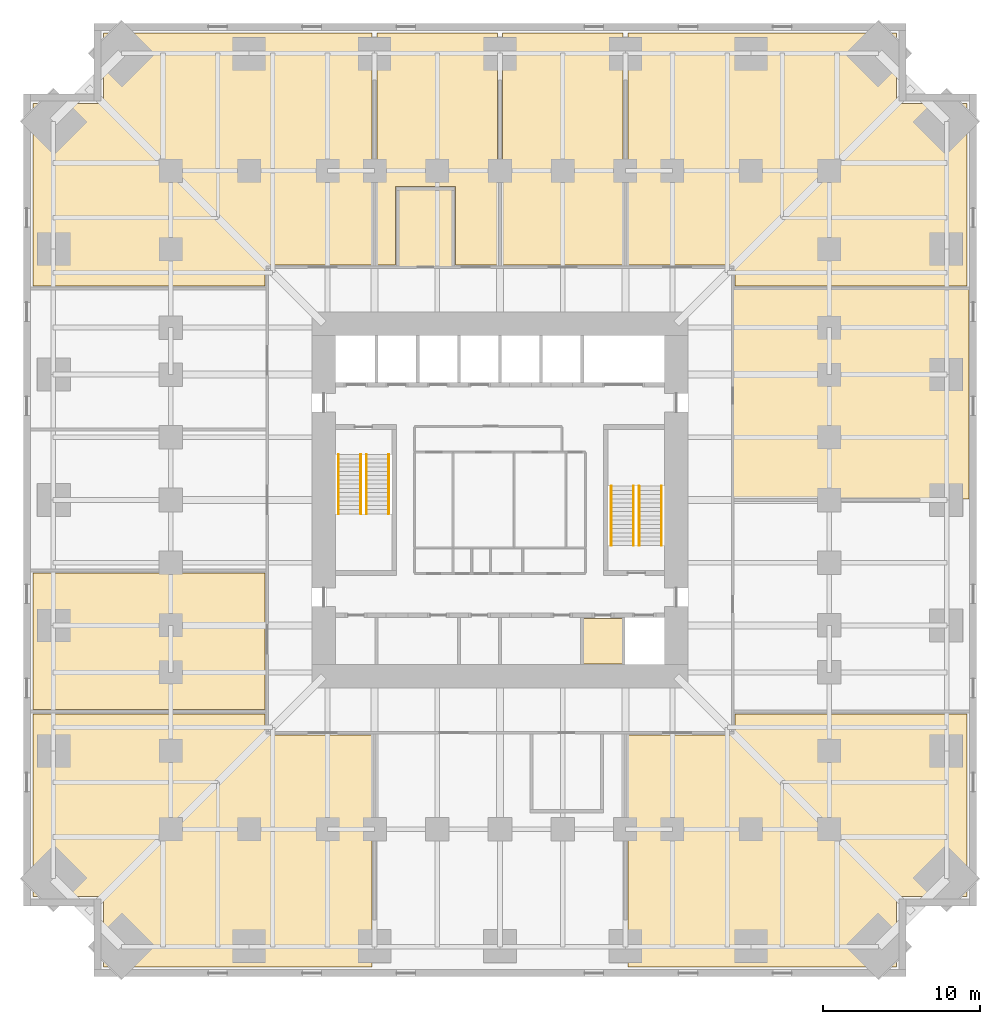
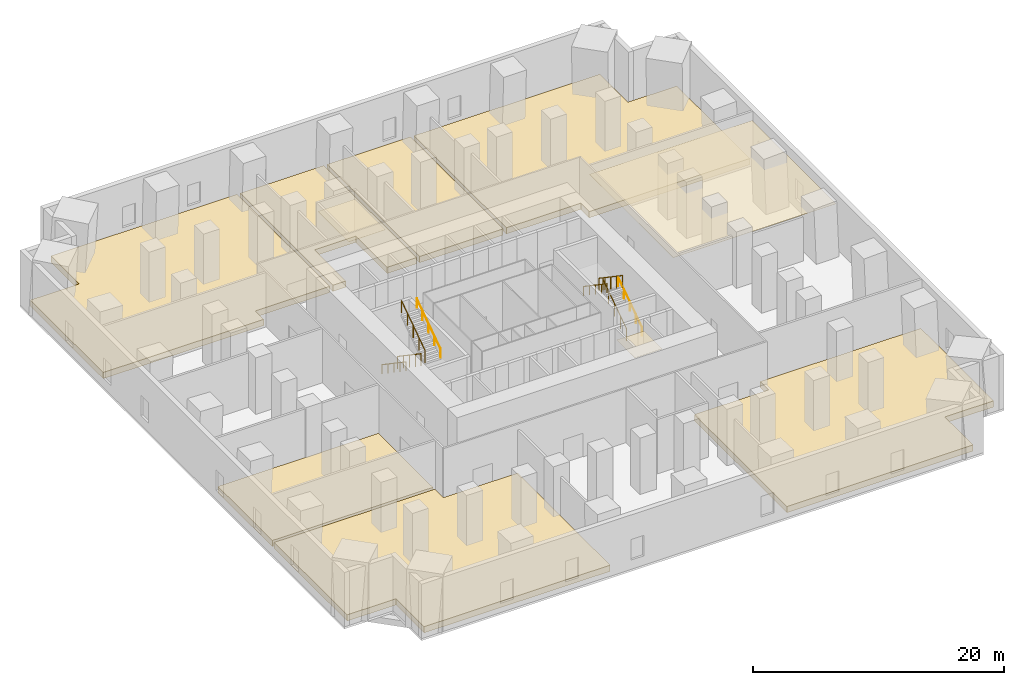
# One storey, part 8 of 8: 10 coverings, 8 railings.
"""IFC4 building model written with IfcOpenShell, lengths in metres."""

import ifcopenshell
import ifcopenshell.guid

model = None  # the IFC model being written
_history = None  # IfcOwnerHistory: only IFC2X3 demands one
_inside = {}  # id of a spatial element -> (the spatial element, [elements in it])
_under = {}  # id of a project, library or spatial element -> (it, [spatial elements below it])
_declared = {}  # id of a project -> (the project, [libraries it declares])
_typed = {}  # id of a type object -> (the type object, [elements of that type])
_made_of = {}  # id of a material, layer set ... -> (it, [elements and type objects made of it])


def new_model(schema):
    """Start an empty IFC model of exactly this schema.

    Asked for "IFC4X3", IfcOpenShell would pick the latest addendum, in which some entities
    have other attributes; the version numbers below select the first issue.
    IFC2X3 requires an IfcOwnerHistory on every rooted entity: one is made here for all.
    """
    global model, _history
    if schema == "IFC4X3":
        model = ifcopenshell.file(schema_version=(4, 3, 0, 0))
    else:
        model = ifcopenshell.file(schema=schema)
    _inside.clear()
    _under.clear()
    _declared.clear()
    _typed.clear()
    _made_of.clear()
    _history = None
    if model.schema == "IFC2X3":
        org = make("IfcOrganization", Name="unknown")
        user = make(
            "IfcPersonAndOrganization",
            ThePerson=make("IfcPerson", FamilyName="unknown"),
            TheOrganization=org,
        )
        app = make(
            "IfcApplication",
            ApplicationDeveloper=org,
            Version="unknown",
            ApplicationFullName="unknown",
            ApplicationIdentifier="unknown",
        )
        _history = make(
            "IfcOwnerHistory",
            OwningUser=user,
            OwningApplication=app,
            ChangeAction="ADDED",
            CreationDate=0,
        )
    return model


def make(cls, **values):
    """One entity of the class cls with the attributes given. An attribute that is None is left unset."""
    return model.create_entity(
        cls, **{name: value for name, value in values.items() if value is not None}
    )


def rooted(cls, **values):
    """An entity with a GlobalId (a new one), such as an element, a storey or a relation."""
    return make(cls, GlobalId=ifcopenshell.guid.new(), OwnerHistory=_history, **values)


def si_unit(unit_type, name, prefix=None):
    """IfcSIUnit, for example si_unit("LENGTHUNIT", "METRE", prefix="MILLI")."""
    return make("IfcSIUnit", UnitType=unit_type, Prefix=prefix, Name=name)


def assignment(units):
    """IfcUnitAssignment: the units of a project."""
    return None if units is None else make("IfcUnitAssignment", Units=units)


def point(xyz):
    """IfcCartesianPoint."""
    return None if xyz is None else make("IfcCartesianPoint", Coordinates=xyz)


def direction(xyz):
    """IfcDirection."""
    return None if xyz is None else make("IfcDirection", DirectionRatios=xyz)


def frame(location, z_axis=None, x_axis=None):
    """IfcAxis2Placement3D, a coordinate frame: its origin and axes. An axis left out is left unset."""
    return make(
        "IfcAxis2Placement3D",
        Location=point(location),
        Axis=direction(z_axis),
        RefDirection=direction(x_axis),
    )


def frame_2d(location, x_axis=None):
    """IfcAxis2Placement2D, a coordinate frame in the plane: its origin and x axis."""
    return make(
        "IfcAxis2Placement2D", Location=point(location), RefDirection=direction(x_axis)
    )


def origin():
    """The frame at (0, 0, 0) with its axes left unset."""
    return frame((0.0, 0.0, 0.0))


def origin_2d():
    """The frame at (0, 0) in the plane with its x axis left unset."""
    return frame_2d((0.0, 0.0))


def place(relative_to, where):
    """IfcLocalPlacement: puts the frame where relative to a parent placement (None: the world)."""
    return make(
        "IfcLocalPlacement", PlacementRelTo=relative_to, RelativePlacement=where
    )


def context(
    kind, dimensions, precision=None, world=None, true_north=None, identifier=None
):
    """IfcGeometricRepresentationContext, for example the 3D "Model" context."""
    return make(
        "IfcGeometricRepresentationContext",
        ContextIdentifier=identifier,
        ContextType=kind,
        CoordinateSpaceDimension=dimensions,
        Precision=precision,
        WorldCoordinateSystem=world,
        TrueNorth=true_north,
    )


def subcontext(parent, identifier, kind, view, scale=None):
    """IfcGeometricRepresentationSubContext, for example "Body" below "Model"."""
    return make(
        "IfcGeometricRepresentationSubContext",
        ContextIdentifier=identifier,
        ContextType=kind,
        ParentContext=parent,
        TargetScale=scale,
        TargetView=view,
    )


def project(units=None, contexts=None):
    """IfcProject with its units and contexts."""
    return rooted(
        "IfcProject",
        Name="project",
        RepresentationContexts=contexts,
        UnitsInContext=assignment(units),
    )


def spatial(cls, under=None, at=None, **own):
    """A site, building, storey or space (cls), placed at a placement, below another one or the project."""
    s = rooted(cls, ObjectPlacement=at, **own)
    if under is not None:
        _under.setdefault(under.id(), (under, []))[1].append(s)
    return s


def polyline(points):
    """IfcPolyline through the points."""
    return make("IfcPolyline", Points=[point(p) for p in points])


def profile(cls, at=None, kind="AREA", **sizes):
    """A parametric profile (cls). Its sizes go by their IFC names, for example OverallWidth=200.0."""
    return make(cls, ProfileType=kind, Position=at, **sizes)


def circle(**sizes):
    """IfcCircleProfileDef."""
    return profile("IfcCircleProfileDef", **sizes)


def outline(outer, holes=None, kind="AREA"):
    """IfcArbitraryClosedProfileDef: a profile drawn as a closed curve; with holes, ...WithVoids."""
    if holes is None:
        return make("IfcArbitraryClosedProfileDef", ProfileType=kind, OuterCurve=outer)
    return make(
        "IfcArbitraryProfileDefWithVoids",
        ProfileType=kind,
        OuterCurve=outer,
        InnerCurves=holes,
    )


def extrude(swept, where, along, depth):
    """IfcExtrudedAreaSolid: the profile swept, set in the frame where, extruded along a direction by depth."""
    return make(
        "IfcExtrudedAreaSolid",
        SweptArea=swept,
        Position=where,
        ExtrudedDirection=direction(along),
        Depth=depth,
    )


def shape(context_of_items, identifier, shape_type, items):
    """IfcShapeRepresentation: the items that make up one representation, for example the "Body"."""
    return make(
        "IfcShapeRepresentation",
        ContextOfItems=context_of_items,
        RepresentationIdentifier=identifier,
        RepresentationType=shape_type,
        Items=items,
    )


def material(Name=None, Category=None):
    """IfcMaterial."""
    return make("IfcMaterial", Name=Name, Category=Category)


def layer(
    of_material, thickness, ventilated=None, Name=None, Category=None, Priority=None
):
    """IfcMaterialLayer: one layer of a wall or slab, of a material (None: an air gap)."""
    return make(
        "IfcMaterialLayer",
        Material=of_material,
        LayerThickness=thickness,
        IsVentilated=ventilated,
        Name=Name,
        Category=Category,
        Priority=Priority,
    )


def layer_set(layers, Name=None):
    """IfcMaterialLayerSet."""
    return make("IfcMaterialLayerSet", MaterialLayers=layers, LayerSetName=Name)


def made_of(thing, what):
    """Note that an element or type object is made of a material, layer set ...; save() writes the relation."""
    if what is not None:
        _made_of.setdefault(what.id(), (what, []))[1].append(thing)
    return thing


def type_object(cls, material=None, **own):
    """A type object (cls), such as IfcWallType, which elements share."""
    return made_of(rooted(cls, **own), material)


def element(
    cls,
    number,
    at=None,
    inside=None,
    cuts=None,
    type_object=None,
    material=None,
    context=None,
    identifier="Body",
    shape_type=None,
    held_by="IfcProductDefinitionShape",
    body=None,
    shapes=None,
    **own,
):
    """One element of the class cls, such as IfcWall. Its Tag is "e" and its number.

    at: its placement. inside: the storey or other place that contains it. cuts: it is an
    opening in that element (IfcRelVoidsElement). A single representation is given by context,
    identifier, shape_type and body (its items); several are given by shapes. held_by: the class
    of the entity that holds the representations. save() writes the other relations.
    """
    e = rooted(cls, Tag="e%d" % number, ObjectPlacement=at, **own)
    if body is not None:
        shapes = [shape(context, identifier, shape_type, body)]
    if shapes is not None:
        e.Representation = make(held_by, Representations=shapes)
    if inside is not None:
        _inside.setdefault(inside.id(), (inside, []))[1].append(e)
    if cuts is not None:
        rooted(
            "IfcRelVoidsElement", RelatingBuildingElement=cuts, RelatedOpeningElement=e
        )
    if type_object is not None:
        _typed.setdefault(type_object.id(), (type_object, []))[1].append(e)
    return made_of(e, material)


def aggregate(whole, parts):
    """IfcRelAggregates: a whole, such as a stair, and the parts it consists of."""
    return rooted("IfcRelAggregates", RelatingObject=whole, RelatedObjects=parts)


def save(model, path):
    """Write the relations noted so far, then the file.

    IfcRelAggregates (storeys below a building ...), IfcRelContainedInSpatialStructure (elements
    in a storey), IfcRelDefinesByType, IfcRelAssociatesMaterial and IfcRelDeclares: one each for
    every whole, place, type object, material and project.
    """
    for whole, parts in _under.values():
        aggregate(whole, parts)
    for where, things in _inside.values():
        rooted(
            "IfcRelContainedInSpatialStructure",
            RelatedElements=things,
            RelatingStructure=where,
        )
    for kind, things in _typed.values():
        rooted("IfcRelDefinesByType", RelatedObjects=things, RelatingType=kind)
    for what, things in _made_of.values():
        rooted("IfcRelAssociatesMaterial", RelatedObjects=things, RelatingMaterial=what)
    for by, libraries in _declared.values():
        rooted("IfcRelDeclares", RelatingContext=by, RelatedDefinitions=libraries)
    model.write(path)


model = new_model("IFC4")

# Units and contexts
model_context = context("Model", 3, precision=1e-05, world=origin(), true_north=direction((0.0, 1.0)))
body_context = subcontext(model_context, "Body", "Model", "MODEL_VIEW")
ifc_project = project(units=[si_unit("LENGTHUNIT", "METRE"), si_unit("AREAUNIT", "SQUARE_METRE"), si_unit("VOLUMEUNIT", "CUBIC_METRE"), si_unit("PLANEANGLEUNIT", "RADIAN"), si_unit("MASSUNIT", "GRAM", prefix="KILO")], contexts=[model_context])

# Site, building, storey
site_placement = place(None, origin())
site = spatial("IfcSite", under=ifc_project, at=site_placement, CompositionType="ELEMENT")
building_placement = place(site_placement, origin())
building = spatial("IfcBuilding", under=site, at=building_placement, Name="Peilmerk Tower", CompositionType="ELEMENT")
storey_placement = place(building_placement, frame((0.0, 0.0, 59.5)))
storey = spatial("IfcBuildingStorey", under=building, at=storey_placement, Name="L11", CompositionType="ELEMENT", Elevation=59.5)

# Coverings
ifc_material_1 = material(Name="Mineral fibre ceiling tiles", Category="mineral")
ifc_layer_1 = layer(ifc_material_1, 0.02490234375)
ifc_layer_set_1 = layer_set([ifc_layer_1], Name="Mineral fibre ceiling tiles")
covering_type_1 = type_object("IfcCoveringType", Name="CL1 25 suspended ceiling", PredefinedType="CEILING", material=ifc_layer_set_1)
covering_1_placement = place(storey_placement, frame((0.0, 0.0, 4.375)))
element("IfcCovering", 1, at=covering_1_placement, inside=storey, type_object=covering_type_1, Name="Suspended ceiling Customer meeting room", PredefinedType="CEILING", context=body_context, shape_type="SweptSolid", body=[
    extrude(outline(polyline([(-3.050048828125, 14.89990234375), (-3.050048828125, 19.800048828125), (-6.449951171875, 19.800048828125), (-6.449951171875, 14.89990234375), (-3.050048828125, 14.89990234375)])), origin(), (0.0, 0.0, 1.0), 0.02490234375),
])
covering_2_placement = place(storey_placement, frame((0.0, 0.0, 4.375)))
element("IfcCovering", 2, at=covering_2_placement, inside=storey, type_object=covering_type_1, Name="Suspended ceiling LV switchboard room", PredefinedType="CEILING", context=body_context, shape_type="SweptSolid", body=[
    extrude(outline(polyline([(29.89990234375, 0.050048828125), (29.89990234375, 13.449951171875), (14.89990234375, 13.449951171875), (14.89990234375, 0.050048828125), (29.89990234375, 0.050048828125)])), origin(), (0.0, 0.0, 1.0), 0.02490234375),
])
covering_3_placement = place(storey_placement, frame((0.0, 0.0, 4.324951171875)))
element("IfcCovering", 3, at=covering_3_placement, inside=storey, type_object=covering_type_1, Name="Suspended ceiling Pantry", PredefinedType="CEILING", context=body_context, shape_type="SweptSolid", body=[
    extrude(outline(polyline([(7.823974609375, -10.448974609375), (7.823974609375, -7.551025390625), (5.301025390625, -7.551025390625), (5.301025390625, -10.448974609375), (7.823974609375, -10.448974609375)])), origin(), (0.0, 0.0, 1.0), 0.025146484375),
])

# Railings
ifc_material_2 = material(Name="Steel flat bar balustrade", Category="steel")
railing_type_1 = type_object("IfcRailingType", Name="GR1 1200 stair guard", PredefinedType="GUARDRAIL", material=ifc_material_2)
railing_1_placement = place(storey_placement, frame((-8.8798828125, 2.89990234375, 0.183349609375)))
element("IfcRailing", 4, at=railing_1_placement, inside=storey, type_object=railing_type_1, Name="Guard stair 1 L11", PredefinedType="GUARDRAIL", context=body_context, shape_type="SweptSolid", body=[
    extrude(circle(Radius=0.02392578125, at=origin_2d()), frame((0.0, 0.0, 1.17578125), z_axis=(0.0, -0.827293068839, 0.56177057439), x_axis=(1.0, 0.0, 0.0)), (0.0, 0.0, 1.0), 4.56884765625),
    extrude(circle(Radius=0.02099609375, at=origin_2d()), origin(), (0.0, 0.0, 1.0), 1.15185546875),
    extrude(circle(Radius=0.02099609375, at=origin_2d()), frame((0.0, -0.94482421875, 0.6416015625)), (0.0, 0.0, 1.0), 1.15185546875),
    extrude(circle(Radius=0.02099609375, at=origin_2d()), frame((0.0, -1.889892578125, 1.283203125)), (0.0, 0.0, 1.0), 1.15185546875),
    extrude(circle(Radius=0.02099609375, at=origin_2d()), frame((0.0, -2.8349609375, 1.925048828125)), (0.0, 0.0, 1.0), 1.15185546875),
    extrude(circle(Radius=0.02099609375, at=origin_2d()), frame((0.0, -3.77978515625, 2.566650390625)), (0.0, 0.0, 1.0), 1.15185546875),
])
for number, where, name in (
    (5, (-8.52001953125, -0.8798828125, 2.933349609375), "Guard stair 1 L11"),
    (6, (8.8798828125, -2.89990234375, 0.183349609375), "Guard stair 2 L11"),
):
    element("IfcRailing", number, at=place(storey_placement, frame(where)), inside=storey, type_object=railing_type_1, Name=name, PredefinedType="GUARDRAIL", context=body_context, shape_type="SweptSolid", body=[
        extrude(circle(Radius=0.02392578125, at=origin_2d()), frame((0.0, 0.0, 1.17578125), z_axis=(0.0, 0.827293068839, 0.56177057439), x_axis=(-1.0, 0.0, 0.0)), (0.0, 0.0, 1.0), 4.56884765625),
        extrude(circle(Radius=0.02099609375, at=origin_2d()), origin(), (0.0, 0.0, 1.0), 1.15185546875),
        extrude(circle(Radius=0.02099609375, at=origin_2d()), frame((0.0, 0.94482421875, 0.6416015625)), (0.0, 0.0, 1.0), 1.15185546875),
        extrude(circle(Radius=0.02099609375, at=origin_2d()), frame((0.0, 1.889892578125, 1.283203125)), (0.0, 0.0, 1.0), 1.15185546875),
        extrude(circle(Radius=0.02099609375, at=origin_2d()), frame((0.0, 2.8349609375, 1.925048828125)), (0.0, 0.0, 1.0), 1.15185546875),
        extrude(circle(Radius=0.02099609375, at=origin_2d()), frame((0.0, 3.77978515625, 2.566650390625)), (0.0, 0.0, 1.0), 1.15185546875),
    ])
railing_2_placement = place(storey_placement, frame((8.52001953125, 0.8798828125, 2.933349609375)))
element("IfcRailing", 7, at=railing_2_placement, inside=storey, type_object=railing_type_1, Name="Guard stair 2 L11", PredefinedType="GUARDRAIL", context=body_context, shape_type="SweptSolid", body=[
    extrude(circle(Radius=0.02392578125, at=origin_2d()), frame((0.0, 0.0, 1.17578125), z_axis=(0.0, -0.827293068839, 0.56177057439), x_axis=(1.0, 0.0, 0.0)), (0.0, 0.0, 1.0), 4.56884765625),
    extrude(circle(Radius=0.02099609375, at=origin_2d()), origin(), (0.0, 0.0, 1.0), 1.15185546875),
    extrude(circle(Radius=0.02099609375, at=origin_2d()), frame((0.0, -0.94482421875, 0.6416015625)), (0.0, 0.0, 1.0), 1.15185546875),
    extrude(circle(Radius=0.02099609375, at=origin_2d()), frame((0.0, -1.889892578125, 1.283203125)), (0.0, 0.0, 1.0), 1.15185546875),
    extrude(circle(Radius=0.02099609375, at=origin_2d()), frame((0.0, -2.8349609375, 1.925048828125)), (0.0, 0.0, 1.0), 1.15185546875),
    extrude(circle(Radius=0.02099609375, at=origin_2d()), frame((0.0, -3.77978515625, 2.566650390625)), (0.0, 0.0, 1.0), 1.15185546875),
])
ifc_material_3 = material(Name="Stainless steel tube", Category="steel")
railing_type_2 = type_object("IfcRailingType", Name="HR1 900 stair handrail", PredefinedType="HANDRAIL", material=ifc_material_3)
railing_3_placement = place(storey_placement, frame((-10.300048828125, 2.89990234375, 0.183349609375)))
element("IfcRailing", 8, at=railing_3_placement, inside=storey, type_object=railing_type_2, Name="Handrail stair 1 L11", PredefinedType="HANDRAIL", context=body_context, shape_type="SweptSolid", body=[
    extrude(circle(Radius=0.02392578125, at=origin_2d()), frame((0.0, 0.0, 0.8759765625), z_axis=(0.0, -0.827293068839, 0.56177057439), x_axis=(1.0, 0.0, 0.0)), (0.0, 0.0, 1.0), 4.56884765625),
    extrude(circle(Radius=0.02099609375, at=origin_2d()), origin(), (0.0, 0.0, 1.0), 0.851806640625),
    extrude(circle(Radius=0.02099609375, at=origin_2d()), frame((0.0, -0.94482421875, 0.6416015625)), (0.0, 0.0, 1.0), 0.851806640625),
    extrude(circle(Radius=0.02099609375, at=origin_2d()), frame((0.0, -1.889892578125, 1.283203125)), (0.0, 0.0, 1.0), 0.851806640625),
    extrude(circle(Radius=0.02099609375, at=origin_2d()), frame((0.0, -2.8349609375, 1.925048828125)), (0.0, 0.0, 1.0), 0.851806640625),
    extrude(circle(Radius=0.02099609375, at=origin_2d()), frame((0.0, -3.77978515625, 2.566650390625)), (0.0, 0.0, 1.0), 0.851806640625),
])
for number, where, name in (
    (9, (-7.10009765625, -0.8798828125, 2.933349609375), "Handrail stair 1 L11"),
    (10, (10.300048828125, -2.89990234375, 0.183349609375), "Handrail stair 2 L11"),
):
    element("IfcRailing", number, at=place(storey_placement, frame(where)), inside=storey, type_object=railing_type_2, Name=name, PredefinedType="HANDRAIL", context=body_context, shape_type="SweptSolid", body=[
        extrude(circle(Radius=0.02392578125, at=origin_2d()), frame((0.0, 0.0, 0.8759765625), z_axis=(0.0, 0.827293068839, 0.56177057439), x_axis=(-1.0, 0.0, 0.0)), (0.0, 0.0, 1.0), 4.56884765625),
        extrude(circle(Radius=0.02099609375, at=origin_2d()), origin(), (0.0, 0.0, 1.0), 0.851806640625),
        extrude(circle(Radius=0.02099609375, at=origin_2d()), frame((0.0, 0.94482421875, 0.6416015625)), (0.0, 0.0, 1.0), 0.851806640625),
        extrude(circle(Radius=0.02099609375, at=origin_2d()), frame((0.0, 1.889892578125, 1.283203125)), (0.0, 0.0, 1.0), 0.851806640625),
        extrude(circle(Radius=0.02099609375, at=origin_2d()), frame((0.0, 2.8349609375, 1.925048828125)), (0.0, 0.0, 1.0), 0.851806640625),
        extrude(circle(Radius=0.02099609375, at=origin_2d()), frame((0.0, 3.77978515625, 2.566650390625)), (0.0, 0.0, 1.0), 0.851806640625),
    ])
railing_4_placement = place(storey_placement, frame((7.10009765625, 0.8798828125, 2.933349609375)))
element("IfcRailing", 11, at=railing_4_placement, inside=storey, type_object=railing_type_2, Name="Handrail stair 2 L11", PredefinedType="HANDRAIL", context=body_context, shape_type="SweptSolid", body=[
    extrude(circle(Radius=0.02392578125, at=origin_2d()), frame((0.0, 0.0, 0.8759765625), z_axis=(0.0, -0.827293068839, 0.56177057439), x_axis=(1.0, 0.0, 0.0)), (0.0, 0.0, 1.0), 4.56884765625),
    extrude(circle(Radius=0.02099609375, at=origin_2d()), origin(), (0.0, 0.0, 1.0), 0.851806640625),
    extrude(circle(Radius=0.02099609375, at=origin_2d()), frame((0.0, -0.94482421875, 0.6416015625)), (0.0, 0.0, 1.0), 0.851806640625),
    extrude(circle(Radius=0.02099609375, at=origin_2d()), frame((0.0, -1.889892578125, 1.283203125)), (0.0, 0.0, 1.0), 0.851806640625),
    extrude(circle(Radius=0.02099609375, at=origin_2d()), frame((0.0, -2.8349609375, 1.925048828125)), (0.0, 0.0, 1.0), 0.851806640625),
    extrude(circle(Radius=0.02099609375, at=origin_2d()), frame((0.0, -3.77978515625, 2.566650390625)), (0.0, 0.0, 1.0), 0.851806640625),
])

# Coverings
ifc_material_4 = material(Name="Steel raised access floor panels on pedestals", Category="steel")
ifc_layer_2 = layer(ifc_material_4, 0.60009765625)
ifc_layer_set_2 = layer_set([ifc_layer_2], Name="Steel raised access floor panels on pedestals")
covering_type_2 = type_object("IfcCoveringType", Name="RF1 600 raised access floor", PredefinedType="FLOORING", material=ifc_layer_set_2)
covering_4_placement = place(storey_placement, origin())
element("IfcCovering", 12, at=covering_4_placement, inside=storey, type_object=covering_type_2, Name="Raised access floor Data suite A", PredefinedType="FLOORING", context=body_context, shape_type="SweptSolid", body=[
    extrude(outline(polyline([(-29.800048828125, 25.300048828125), (-29.800048828125, 13.64990234375), (-15.0, 13.64990234375), (-15.0, 15.0), (-8.14990234375, 15.0), (-8.14990234375, 29.800048828125), (-25.300048828125, 29.800048828125), (-25.300048828125, 25.300048828125), (-29.800048828125, 25.300048828125)])), origin(), (0.0, 0.0, 1.0), 0.60009765625),
])
covering_5_placement = place(storey_placement, origin())
element("IfcCovering", 13, at=covering_5_placement, inside=storey, type_object=covering_type_2, Name="Raised access floor Data suite B", PredefinedType="FLOORING", context=body_context, shape_type="SweptSolid", body=[
    extrude(outline(polyline([(-0.14990234375, 15.0), (-0.14990234375, 29.800048828125), (-7.85009765625, 29.800048828125), (-7.85009765625, 15.0), (-6.64990234375, 15.0), (-6.64990234375, 20.0), (-2.85009765625, 20.0), (-2.85009765625, 15.0), (-0.14990234375, 15.0)])), origin(), (0.0, 0.0, 1.0), 0.60009765625),
])
covering_6_placement = place(storey_placement, origin())
element("IfcCovering", 14, at=covering_6_placement, inside=storey, type_object=covering_type_2, Name="Raised access floor Data suite C", PredefinedType="FLOORING", context=body_context, shape_type="SweptSolid", body=[
    extrude(outline(polyline([(7.85009765625, 29.800048828125), (0.14990234375, 29.800048828125), (0.14990234375, 15.0), (7.85009765625, 15.0), (7.85009765625, 29.800048828125)])), origin(), (0.0, 0.0, 1.0), 0.60009765625),
])
covering_7_placement = place(storey_placement, origin())
element("IfcCovering", 15, at=covering_7_placement, inside=storey, type_object=covering_type_2, Name="Raised access floor Data suite D", PredefinedType="FLOORING", context=body_context, shape_type="SweptSolid", body=[
    extrude(outline(polyline([(25.300048828125, 29.800048828125), (8.14990234375, 29.800048828125), (8.14990234375, 15.0), (15.0, 15.0), (15.0, 13.64990234375), (29.800048828125, 13.64990234375), (29.800048828125, 25.300048828125), (25.300048828125, 25.300048828125), (25.300048828125, 29.800048828125)])), origin(), (0.0, 0.0, 1.0), 0.60009765625),
])
covering_8_placement = place(storey_placement, origin())
element("IfcCovering", 16, at=covering_8_placement, inside=storey, type_object=covering_type_2, Name="Raised access floor Data suite E", PredefinedType="FLOORING", context=body_context, shape_type="SweptSolid", body=[
    extrude(outline(polyline([(-25.300048828125, -29.800048828125), (-8.14990234375, -29.800048828125), (-8.14990234375, -15.0), (-15.0, -15.0), (-15.0, -13.64990234375), (-29.800048828125, -13.64990234375), (-29.800048828125, -25.300048828125), (-25.300048828125, -25.300048828125), (-25.300048828125, -29.800048828125)])), origin(), (0.0, 0.0, 1.0), 0.60009765625),
])
covering_9_placement = place(storey_placement, origin())
element("IfcCovering", 17, at=covering_9_placement, inside=storey, type_object=covering_type_2, Name="Raised access floor Data suite F", PredefinedType="FLOORING", context=body_context, shape_type="SweptSolid", body=[
    extrude(outline(polyline([(8.14990234375, -29.800048828125), (25.300048828125, -29.800048828125), (25.300048828125, -25.300048828125), (29.800048828125, -25.300048828125), (29.800048828125, -13.64990234375), (15.0, -13.64990234375), (15.0, -15.0), (8.14990234375, -15.0), (8.14990234375, -29.800048828125)])), origin(), (0.0, 0.0, 1.0), 0.60009765625),
])
covering_10_placement = place(storey_placement, origin())
element("IfcCovering", 18, at=covering_10_placement, inside=storey, type_object=covering_type_2, Name="Raised access floor UPS room", PredefinedType="FLOORING", context=body_context, shape_type="SweptSolid", body=[
    extrude(outline(polyline([(-29.800048828125, -4.64990234375), (-29.800048828125, -13.35009765625), (-15.0, -13.35009765625), (-15.0, -4.64990234375), (-29.800048828125, -4.64990234375)])), origin(), (0.0, 0.0, 1.0), 0.60009765625),
])

save(model, "model.ifc")
